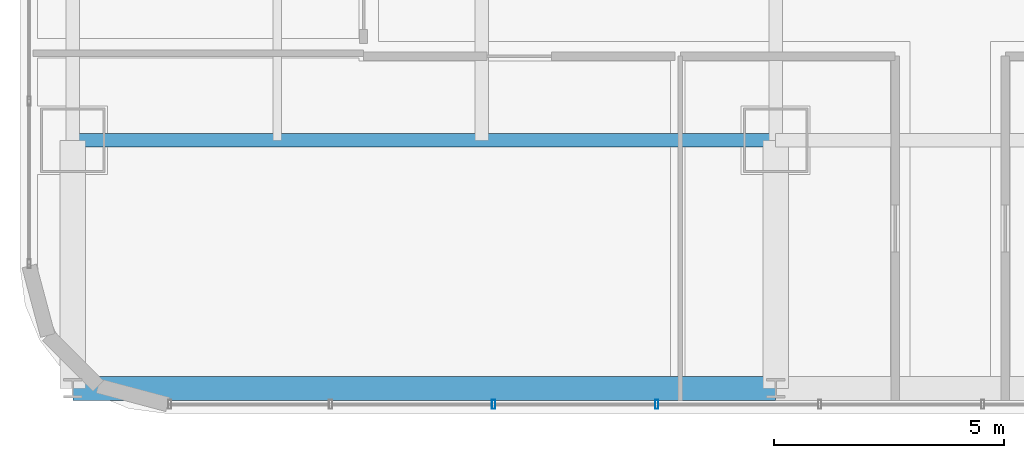
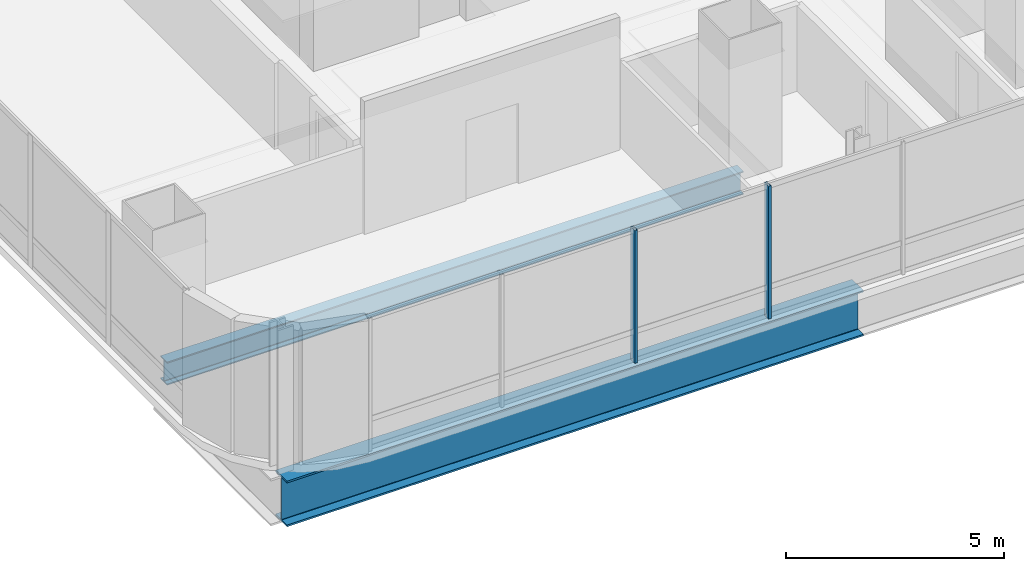
# One storey, part 3 of 35: 2 beams, 2 members, 1 element without a shape of its own.
"""IFC4 building model written with IfcOpenShell, lengths in metres."""

from ifc_helpers import new_model, si_unit, direction, frame, origin, origin_2d, place, context, subcontext, project, spatial, hollow_rectangle, i_section, extrude, material, material_profile, profile_set, type_object, element, aggregate, save


model = new_model("IFC4")

# Units and contexts
model_context = context("Model", 3, precision=1e-05, world=origin(), true_north=direction((0.0, 1.0)))
body_context = subcontext(model_context, "Body", "Model", "MODEL_VIEW")
ifc_project = project(units=[si_unit("LENGTHUNIT", "METRE"), si_unit("AREAUNIT", "SQUARE_METRE"), si_unit("VOLUMEUNIT", "CUBIC_METRE"), si_unit("PLANEANGLEUNIT", "RADIAN"), si_unit("MASSUNIT", "GRAM", prefix="KILO")], contexts=[model_context])

# Site, building, storey
site_placement = place(None, origin())
site = spatial("IfcSite", under=ifc_project, at=site_placement, CompositionType="ELEMENT")
building_placement = place(site_placement, origin())
building = spatial("IfcBuilding", under=site, at=building_placement, Name="Punatoya Terracotta Tower", CompositionType="ELEMENT")
storey_placement = place(building_placement, frame((0.0, 0.0, 232.949951171875)))
storey = spatial("IfcBuildingStorey", under=building, at=storey_placement, Name="L55", CompositionType="ELEMENT", Elevation=232.949951171875)

# Beams
ifc_material_1 = material(Name="Steel S355", Category="steel")
ifc_material_profile_1 = material_profile(ifc_material_1, i_section(OverallWidth=0.300048828125, OverallDepth=0.64990234375, WebThickness=0.01611328125, FlangeThickness=0.031005859375, FilletRadius=0.01806640625, at=origin_2d()))
ifc_profile_set_1 = profile_set([ifc_material_profile_1], Name="Steel S355")
beam_type_1 = type_object("IfcBeamType", Name="BM-PRI-650", PredefinedType="BEAM", material=ifc_profile_set_1)
beam_1_placement = place(storey_placement, frame((-19.10009765625, -17.5, -0.544921875), z_axis=(1.0, 0.0, 0.0), x_axis=(0.0, 1.0, 0.0)))
element("IfcBeam", 1, at=beam_1_placement, inside=storey, type_object=beam_type_1, Name="BM-L55-RG-S1", PredefinedType="BEAM", context=body_context, shape_type="SweptSolid", body=[
    extrude(i_section(OverallWidth=0.300048828125, OverallDepth=0.64990234375, WebThickness=0.01611328125, FlangeThickness=0.031005859375, FilletRadius=0.01806640625, at=origin_2d()), origin(), (0.0, 0.0, 1.0), 15.300048828125),
])
ifc_material_2 = material(Name="Steel S460", Category="steel")
ifc_material_profile_2 = material_profile(ifc_material_2, i_section(OverallWidth=0.52001953125, OverallDepth=1.280029296875, WebThickness=0.031982421875, FlangeThickness=0.050048828125, FilletRadius=0.01806640625, at=origin_2d()))
ifc_profile_set_2 = profile_set([ifc_material_profile_2], Name="Steel S460")
beam_type_2 = type_object("IfcBeamType", Name="BM-TG-NCK", PredefinedType="BEAM", material=ifc_profile_set_2)
beam_2_placement = place(storey_placement, frame((-19.10009765625, -22.89990234375, -0.85986328125), z_axis=(1.0, 0.0, 0.0), x_axis=(0.0, 1.0, 0.0)))
element("IfcBeam", 2, at=beam_2_placement, inside=storey, type_object=beam_type_2, Name="BM-L55-PER-S1", PredefinedType="BEAM", context=body_context, shape_type="SweptSolid", body=[
    extrude(i_section(OverallWidth=0.52001953125, OverallDepth=1.280029296875, WebThickness=0.031982421875, FlangeThickness=0.050048828125, FilletRadius=0.01806640625, at=origin_2d()), origin(), (0.0, 0.0, 1.0), 15.300048828125),
])

# Curtain wall, members
ifc_material_3 = material(Name="Aluminium 6063-T6 + Double Low-E Glass", Category="aluminium")
curtain_wall_type = type_object("IfcCurtainWallType", Name="CW-M2", PredefinedType="NOTDEFINED", material=ifc_material_3)
curtain_wall_placement = place(storey_placement, origin())
curtain_wall = element("IfcCurtainWall", 3, at=curtain_wall_placement, inside=storey, type_object=curtain_wall_type, Name="L55 Curtain Wall CW-L55-S01-1", PredefinedType="NOTDEFINED")
ifc_material_4 = material(Name="Aluminium 6063-T6", Category="aluminium")
ifc_material_profile_3 = material_profile(ifc_material_4, hollow_rectangle(XDim=0.072021484375, YDim=0.195068359375, WallThickness=0.00439453125, at=origin_2d()))
ifc_profile_set_3 = profile_set([ifc_material_profile_3], Name="Aluminium 6063-T6")
member_type = type_object("IfcMemberType", Name="CW-MUL-M2", PredefinedType="MULLION", material=ifc_profile_set_3)
member_1_placement = place(storey_placement, frame((-9.939453125, -23.25, 0.0), z_axis=(0.0, 0.0, 1.0), x_axis=(1.0, 0.0, 0.0)))
member_1 = element("IfcMember", 4, at=member_1_placement, type_object=member_type, Name="CW-L55-S01-1 Mullion 02", PredefinedType="MULLION", context=body_context, shape_type="SweptSolid", body=[
    extrude(hollow_rectangle(XDim=0.072021484375, YDim=0.195068359375, WallThickness=0.00439453125, at=origin_2d()), origin(), (0.0, 0.0, 1.0), 3.72998046875),
])
member_2_placement = place(storey_placement, frame((-6.390869140625, -23.25, 0.0), z_axis=(0.0, 0.0, 1.0), x_axis=(1.0, 0.0, 0.0)))
member_2 = element("IfcMember", 5, at=member_2_placement, type_object=member_type, Name="CW-L55-S01-1 Mullion 03", PredefinedType="MULLION", context=body_context, shape_type="SweptSolid", body=[
    extrude(hollow_rectangle(XDim=0.072021484375, YDim=0.195068359375, WallThickness=0.00439453125, at=origin_2d()), origin(), (0.0, 0.0, 1.0), 3.72998046875),
])
aggregate(curtain_wall, [member_1, member_2])

save(model, "model.ifc")
